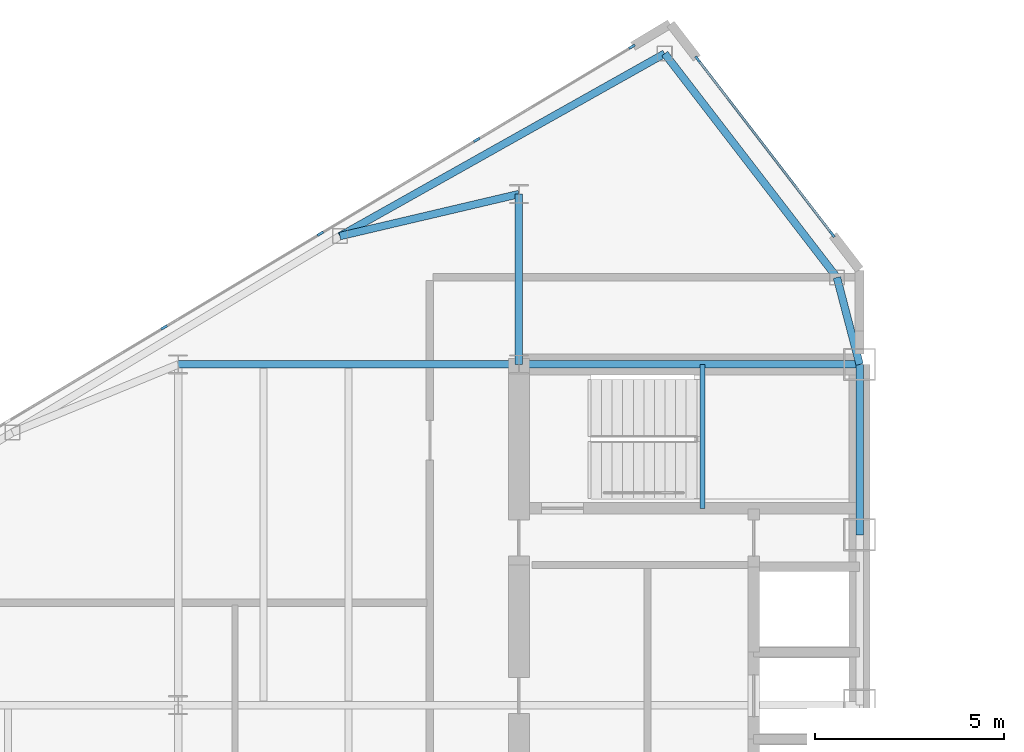
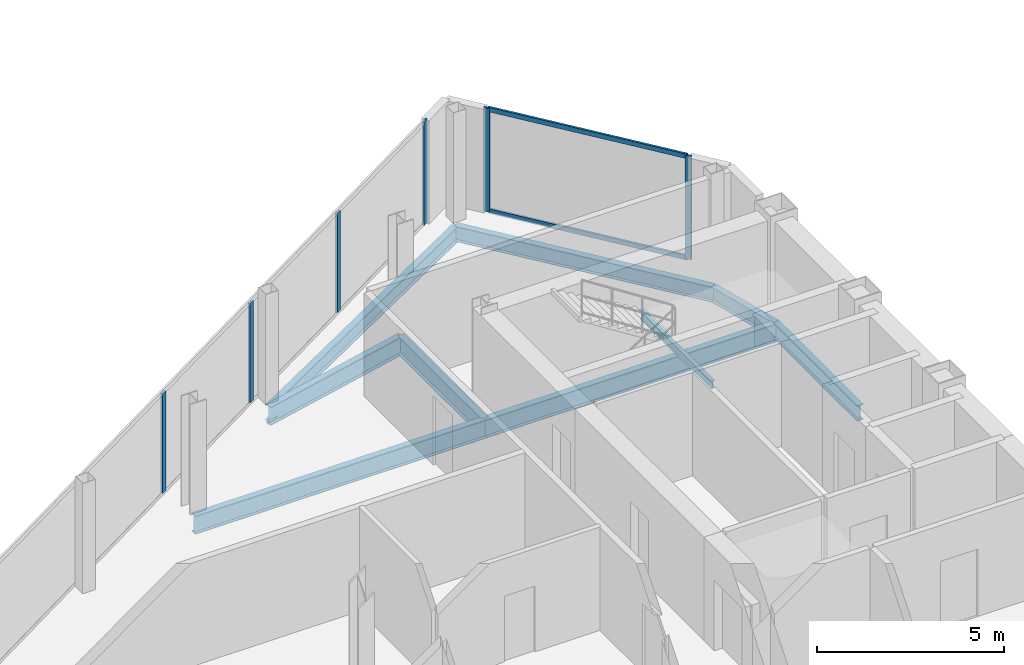
# One storey, part 10 of 26: 9 beams, 8 members, 2 elements without a shape of their own.
"""IFC4 building model written with IfcOpenShell, lengths in metres."""

from ifc_helpers import new_model, si_unit, direction, frame, origin, origin_2d, place, context, subcontext, project, spatial, rectangle, i_section, extrude, source, transform, mapped, material, layer, layer_set, material_profile, profile_set, type_object, type_shapes, element, aggregate, save


model = new_model("IFC4")

# Units and contexts
model_context = context("Model", 3, precision=1e-05, world=origin(), true_north=direction((0.0, 1.0)))
body_context = subcontext(model_context, "Body", "Model", "MODEL_VIEW")
ifc_project = project(units=[si_unit("LENGTHUNIT", "METRE"), si_unit("AREAUNIT", "SQUARE_METRE"), si_unit("VOLUMEUNIT", "CUBIC_METRE"), si_unit("PLANEANGLEUNIT", "RADIAN"), si_unit("MASSUNIT", "GRAM", prefix="KILO")], contexts=[model_context])

# Site, building, storey
site_placement = place(None, origin())
site = spatial("IfcSite", under=ifc_project, at=site_placement, CompositionType="ELEMENT")
building_placement = place(site_placement, origin())
building = spatial("IfcBuilding", under=site, at=building_placement, Name="Seokmaru Belvedere", CompositionType="ELEMENT")
storey_placement = place(building_placement, frame((0.0, 0.0, 199.5)))
storey = spatial("IfcBuildingStorey", under=building, at=storey_placement, Name="L53", CompositionType="ELEMENT", Elevation=199.5)

# Beams
ifc_material_1 = material(Name="Steel SM355 (355 MPa)", Category="steel")
ifc_material_profile_1 = material_profile(ifc_material_1, i_section(OverallWidth=0.199951171875, OverallDepth=0.5, WebThickness=0.010009765625, FlangeThickness=0.01611328125, at=origin_2d()), Name="H-500x200x10x16")
ifc_profile_set_1 = profile_set([ifc_material_profile_1], Name="Steel SM355 (355 MPa)")
beam_type_1 = type_object("IfcBeamType", Name="Perimeter Spandrel Beam H-500", PredefinedType="SPANDREL", material=ifc_profile_set_1)
shared_shape_1 = source(origin(), body_context, "Body", "SweptSolid", [
    extrude(i_section(OverallWidth=0.199951171875, OverallDepth=0.5, WebThickness=0.010009765625, FlangeThickness=0.01611328125, at=origin_2d()), origin(), (0.0, 0.0, 1.0), 4.5),
])
beam_1_placement = place(storey_placement, frame((-27.5, 9.0, -0.469970703125), z_axis=(0.0, 1.0, 0.0), x_axis=(-1.0, 0.0, 0.0)))
element("IfcBeam", 1, at=beam_1_placement, inside=storey, type_object=beam_type_1, Name="L53 W Portal Spine Spandrel 5", PredefinedType="SPANDREL", context=body_context, shape_type="MappedRepresentation", body=[
    mapped(shared_shape_1, transform((0.0, 0.0, 0.0), scale=1.0)),
])
ifc_material_profile_2 = material_profile(ifc_material_1, i_section(OverallWidth=0.199951171875, OverallDepth=0.60009765625, WebThickness=0.010986328125, FlangeThickness=0.01708984375, at=origin_2d()), Name="H-600x200x11x17")
ifc_profile_set_2 = profile_set([ifc_material_profile_2], Name="Steel SM355 (355 MPa)")
beam_type_2 = type_object("IfcBeamType", Name="Primary Floor Girder H-600", PredefinedType="BEAM", material=ifc_profile_set_2)
shared_shape_2 = source(origin(), body_context, "Body", "SweptSolid", [
    extrude(i_section(OverallWidth=0.199951171875, OverallDepth=0.60009765625, WebThickness=0.010986328125, FlangeThickness=0.01708984375, at=origin_2d()), origin(), (0.0, 0.0, 1.0), 9.0),
])
for number, where, z_axis, x_axis, name in (
    (2, (-36.5, 13.5, -0.52001953125), (1.0, 0.0, 0.0), (0.0, 1.0, 0.0), "L53 W Core Tie Girder 4"),
    (3, (-45.5, 13.5, -0.52001953125), (1.0, 0.0, 0.0), (0.0, 1.0, 0.0), "L53 W Wing Primary Girder 4"),
):
    element("IfcBeam", number, at=place(storey_placement, frame(where, z_axis=z_axis, x_axis=x_axis)), inside=storey, type_object=beam_type_2, Name=name, PredefinedType="BEAM", context=body_context, shape_type="MappedRepresentation", body=[
        mapped(shared_shape_2, transform((0.0, 0.0, 0.0), scale=1.0)),
    ])
shared_shape_3 = source(origin(), body_context, "Body", "SweptSolid", [
    extrude(i_section(OverallWidth=0.199951171875, OverallDepth=0.60009765625, WebThickness=0.010986328125, FlangeThickness=0.01708984375, at=origin_2d()), origin(), (0.0, 0.0, 1.0), 4.5),
])
beam_2_placement = place(storey_placement, frame((-36.5, 13.5, -0.52001953125), z_axis=(0.0, 1.0, 0.0), x_axis=(-1.0, 0.0, 0.0)))
element("IfcBeam", 4, at=beam_2_placement, inside=storey, type_object=beam_type_2, Name="L53 W Core Shoulder Girder N", PredefinedType="BEAM", context=body_context, shape_type="MappedRepresentation", body=[
    mapped(shared_shape_3, transform((0.0, 0.0, 0.0), scale=1.0)),
])
shared_shape_4 = source(origin(), body_context, "Body", "SweptSolid", [
    extrude(i_section(OverallWidth=0.199951171875, OverallDepth=0.5, WebThickness=0.010009765625, FlangeThickness=0.01611328125, at=origin_2d()), origin(), (0.0, 0.0, 1.0), 9.842041015625),
])
beam_3_placement = place(storey_placement, frame((-32.649658203125, 21.71044921875, -0.469970703125), z_axis=(-0.871782151818, -0.489893743349, 0.0), x_axis=(0.489893743349, -0.871782151818, 0.0)))
element("IfcBeam", 5, at=beam_3_placement, inside=storey, type_object=beam_type_1, Name="L53 W Faceted Flank Spandrel N-1", PredefinedType="SPANDREL", context=body_context, shape_type="MappedRepresentation", body=[
    mapped(shared_shape_4, transform((0.0, 0.0, 0.0), scale=1.0)),
])
shared_shape_5 = source(origin(), body_context, "Body", "SweptSolid", [
    extrude(i_section(OverallWidth=0.199951171875, OverallDepth=0.5, WebThickness=0.010009765625, FlangeThickness=0.01611328125, at=origin_2d()), origin(), (0.0, 0.0, 1.0), 7.4619140625),
])
beam_4_placement = place(storey_placement, frame((-32.649658203125, 21.71044921875, -0.469970703125), z_axis=(0.609702854945, -0.792630070507, 0.0), x_axis=(0.792630070507, 0.609702854945, 0.0)))
element("IfcBeam", 6, at=beam_4_placement, inside=storey, type_object=beam_type_1, Name="L53 W Shoulder Chamfer Spandrel N", PredefinedType="SPANDREL", context=body_context, shape_type="MappedRepresentation", body=[
    mapped(shared_shape_5, transform((0.0, 0.0, 0.0), scale=1.0)),
])
shared_shape_6 = source(origin(), body_context, "Body", "SweptSolid", [
    extrude(i_section(OverallWidth=0.199951171875, OverallDepth=0.5, WebThickness=0.010009765625, FlangeThickness=0.01611328125, at=origin_2d()), origin(), (0.0, 0.0, 1.0), 2.373046875),
])
type_shapes(beam_type_1, [shared_shape_1, shared_shape_4, shared_shape_5, shared_shape_6])
beam_5_placement = place(storey_placement, frame((-28.10009765625, 15.7958984375, -0.469970703125), z_axis=(0.252882558842, -0.967496982648, 0.0), x_axis=(0.967496982648, 0.252882558842, 0.0)))
element("IfcBeam", 7, at=beam_5_placement, inside=storey, type_object=beam_type_1, Name="L53 W Shoulder Spine Spandrel N", PredefinedType="SPANDREL", context=body_context, shape_type="MappedRepresentation", body=[
    mapped(shared_shape_6, transform((0.0, 0.0, 0.0), scale=1.0)),
])
shared_shape_7 = source(origin(), body_context, "Body", "SweptSolid", [
    extrude(i_section(OverallWidth=0.199951171875, OverallDepth=0.60009765625, WebThickness=0.010986328125, FlangeThickness=0.01708984375, at=origin_2d()), origin(), (0.0, 0.0, 1.0), 4.8583984375),
])
type_shapes(beam_type_2, [shared_shape_2, shared_shape_3, shared_shape_7])
beam_6_placement = place(storey_placement, frame((-41.229736328125, 16.888916015625, -0.52001953125), z_axis=(0.97349948295, 0.228689214211, 0.0), x_axis=(-0.228689214211, 0.97349948295, 0.0)))
element("IfcBeam", 8, at=beam_6_placement, inside=storey, type_object=beam_type_2, Name="L53 W Flank Radial Floor Girder N-1", PredefinedType="BEAM", context=body_context, shape_type="MappedRepresentation", body=[
    mapped(shared_shape_7, transform((0.0, 0.0, 0.0), scale=1.0)),
])

# Curtain wall, members
ifc_material_2 = material(Name="Bronze Triple Insulating Glass", Category="glass")
ifc_layer = layer(ifc_material_2, 0.179931640625)
ifc_layer_set = layer_set([ifc_layer], Name="Bronze Triple Insulating Glass")
curtain_wall_type = type_object("IfcCurtainWallType", Name="High-Rise Wind-Corner Curtain Wall System CW-5", PredefinedType="NOTDEFINED", material=ifc_layer_set)
curtain_wall_1_placement = place(storey_placement, origin())
curtain_wall_1 = element("IfcCurtainWall", 9, at=curtain_wall_1_placement, inside=storey, type_object=curtain_wall_type, Name="L53 Curtain Wall WF2", PredefinedType="NOTDEFINED")
ifc_material_3 = material(Name="Anodised Bronze Aluminium", Category="aluminium")
ifc_material_profile_3 = material_profile(ifc_material_3, rectangle(XDim=0.06494140625, YDim=0.179931640625, at=origin_2d()), Name="CW-M-65x180")
ifc_profile_set_3 = profile_set([ifc_material_profile_3], Name="Anodised Bronze Aluminium")
member_type_1 = type_object("IfcMemberType", Name="Bronze Unitised Mullion 65x180", PredefinedType="MULLION", material=ifc_profile_set_3)
shared_shape_8 = source(origin(), body_context, "Body", "SweptSolid", [
    extrude(rectangle(XDim=0.06494140625, YDim=0.179931640625, at=origin_2d()), origin(), (0.0, 0.0, 1.0), 3.3798828125),
])
member_1_placement = place(storey_placement, frame((-28.220947265625, 16.937255859375, 0.0), z_axis=(0.0, 0.0, 1.0), x_axis=(-0.792631353244, -0.609701187349, 0.0)))
member_1 = element("IfcMember", 10, at=member_1_placement, type_object=member_type_1, Name="CW:L53:WF2 Mullion 1", PredefinedType="MULLION", context=body_context, shape_type="MappedRepresentation", body=[
    mapped(shared_shape_8, transform((0.0, 0.0, 0.0), scale=1.0)),
])
member_2_placement = place(storey_placement, frame((-31.779052734375, 21.562744140625, 0.0), z_axis=(0.0, 0.0, 1.0), x_axis=(-0.792631353244, -0.609701187349, 0.0)))
member_2 = element("IfcMember", 11, at=member_2_placement, type_object=member_type_1, Name="CW:L53:WF2 Mullion 2", PredefinedType="MULLION", context=body_context, shape_type="MappedRepresentation", body=[
    mapped(shared_shape_8, transform((0.0, 0.0, 0.0), scale=1.0)),
])

curtain_wall_2_placement = place(storey_placement, origin())
curtain_wall_2 = element("IfcCurtainWall", 12, at=curtain_wall_2_placement, inside=storey, type_object=curtain_wall_type, Name="L53 Curtain Wall WF3", PredefinedType="NOTDEFINED")
member_3_placement = place(storey_placement, frame((-33.513916015625, 21.8916015625, 0.0), z_axis=(0.0, 0.0, 1.0), x_axis=(0.514494909364, -0.85749343335, 0.0)))
member_3 = element("IfcMember", 13, at=member_3_placement, type_object=member_type_1, Name="CW:L53:WF3 Mullion 1", PredefinedType="MULLION", context=body_context, shape_type="MappedRepresentation", body=[
    mapped(shared_shape_8, transform((0.0, 0.0, 0.0), scale=1.0)),
])
shared_shape_9 = source(origin(), body_context, "Body", "SweptSolid", [
    extrude(rectangle(XDim=0.06494140625, YDim=0.179931640625, at=origin_2d()), origin(), (0.0, 0.0, 1.0), 3.25),
])
type_shapes(member_type_1, [shared_shape_8, shared_shape_9])
member_4_placement = place(storey_placement, frame((-37.614501953125, 19.43115234375, 0.06494140625), z_axis=(0.0, 0.0, 1.0), x_axis=(0.514494909364, -0.85749343335, 0.0)))
member_4 = element("IfcMember", 14, at=member_4_placement, type_object=member_type_1, Name="CW:L53:WF3 Mullion 2", PredefinedType="MULLION", context=body_context, shape_type="MappedRepresentation", body=[
    mapped(shared_shape_9, transform((0.0, 0.0, 0.0), scale=1.0)),
])
member_5_placement = place(storey_placement, frame((-41.7431640625, 16.9541015625, 0.06494140625), z_axis=(0.0, 0.0, 1.0), x_axis=(0.514494909364, -0.85749343335, 0.0)))
member_5 = element("IfcMember", 15, at=member_5_placement, type_object=member_type_1, Name="CW:L53:WF3 Mullion 3", PredefinedType="MULLION", context=body_context, shape_type="MappedRepresentation", body=[
    mapped(shared_shape_9, transform((0.0, 0.0, 0.0), scale=1.0)),
])
member_6_placement = place(storey_placement, frame((-45.87158203125, 14.47705078125, 0.06494140625), z_axis=(0.0, 0.0, 1.0), x_axis=(0.514494909364, -0.85749343335, 0.0)))
member_6 = element("IfcMember", 16, at=member_6_placement, type_object=member_type_1, Name="CW:L53:WF3 Mullion 4", PredefinedType="MULLION", context=body_context, shape_type="MappedRepresentation", body=[
    mapped(shared_shape_9, transform((0.0, 0.0, 0.0), scale=1.0)),
])
aggregate(curtain_wall_2, [member_3, member_4, member_5, member_6])

# Member
ifc_material_profile_4 = material_profile(ifc_material_3, rectangle(XDim=0.06494140625, YDim=0.14990234375, at=origin_2d()), Name="CW-T-65x150")
ifc_profile_set_4 = profile_set([ifc_material_profile_4], Name="Anodised Bronze Aluminium")
member_type_2 = type_object("IfcMemberType", Name="Bronze Unitised Transom 65x150", PredefinedType="USERDEFINED", material=ifc_profile_set_4)
shared_shape_10 = source(origin(), body_context, "Body", "SweptSolid", [
    extrude(rectangle(XDim=0.06494140625, YDim=0.14990234375, at=origin_2d()), origin(), (0.0, 0.0, 1.0), 5.77099609375),
])
type_shapes(member_type_2, [shared_shape_10])
member_7_placement = place(storey_placement, frame((-28.24072265625, 16.962890625, 0.032470703125), z_axis=(-0.60970258286, 0.792630279799, 0.0), x_axis=(-0.792630279799, -0.60970258286, 0.0)))
member_7 = element("IfcMember", 17, at=member_7_placement, type_object=member_type_2, Name="CW:L53:WF2 Continuous Transom 1", ObjectType="TRANSOM", PredefinedType="USERDEFINED", context=body_context, shape_type="MappedRepresentation", body=[
    mapped(shared_shape_10, transform((0.0, 0.0, 0.0), scale=1.0)),
])

member_8_placement = place(storey_placement, frame((-28.24072265625, 16.962890625, 3.347412109375), z_axis=(-0.60970258286, 0.792630279799, 0.0), x_axis=(-0.792630279799, -0.60970258286, 0.0)))
member_8 = element("IfcMember", 18, at=member_8_placement, type_object=member_type_2, Name="CW:L53:WF2 Continuous Transom 2", ObjectType="TRANSOM", PredefinedType="USERDEFINED", context=body_context, shape_type="MappedRepresentation", body=[
    mapped(shared_shape_10, transform((0.0, 0.0, 0.0), scale=1.0)),
])

aggregate(curtain_wall_1, [member_1, member_2, member_7, member_8])

# Beam
ifc_material_profile_5 = material_profile(ifc_material_1, i_section(OverallWidth=0.125, OverallDepth=0.25, WebThickness=0.006103515625, FlangeThickness=0.009033203125, at=origin_2d()), Name="H-250x125x6x9")
ifc_profile_set_5 = profile_set([ifc_material_profile_5], Name="Steel SM355 (355 MPa)")
beam_type_3 = type_object("IfcBeamType", Name="Stair Mid-Landing Support Beam H-250", PredefinedType="JOIST", material=ifc_profile_set_5)
shared_shape_11 = source(origin(), body_context, "Body", "SweptSolid", [
    extrude(i_section(OverallWidth=0.125, OverallDepth=0.25, WebThickness=0.006103515625, FlangeThickness=0.009033203125, at=origin_2d()), origin(), (0.0, 0.0, 1.0), 3.800048828125),
])
type_shapes(beam_type_3, [shared_shape_11])
beam_7_placement = place(storey_placement, frame((-31.64990234375, 9.699951171875, 1.47509765625), z_axis=(0.0, 1.0, 0.0), x_axis=(-1.0, 0.0, 0.0)))
element("IfcBeam", 19, at=beam_7_placement, inside=storey, type_object=beam_type_3, Name="L53 Stair ST-W2 Mid-Landing Support Beam 1", PredefinedType="JOIST", context=body_context, shape_type="MappedRepresentation", body=[
    mapped(shared_shape_11, transform((0.0, 0.0, 0.0), scale=1.0)),
])

save(model, "model.ifc")
